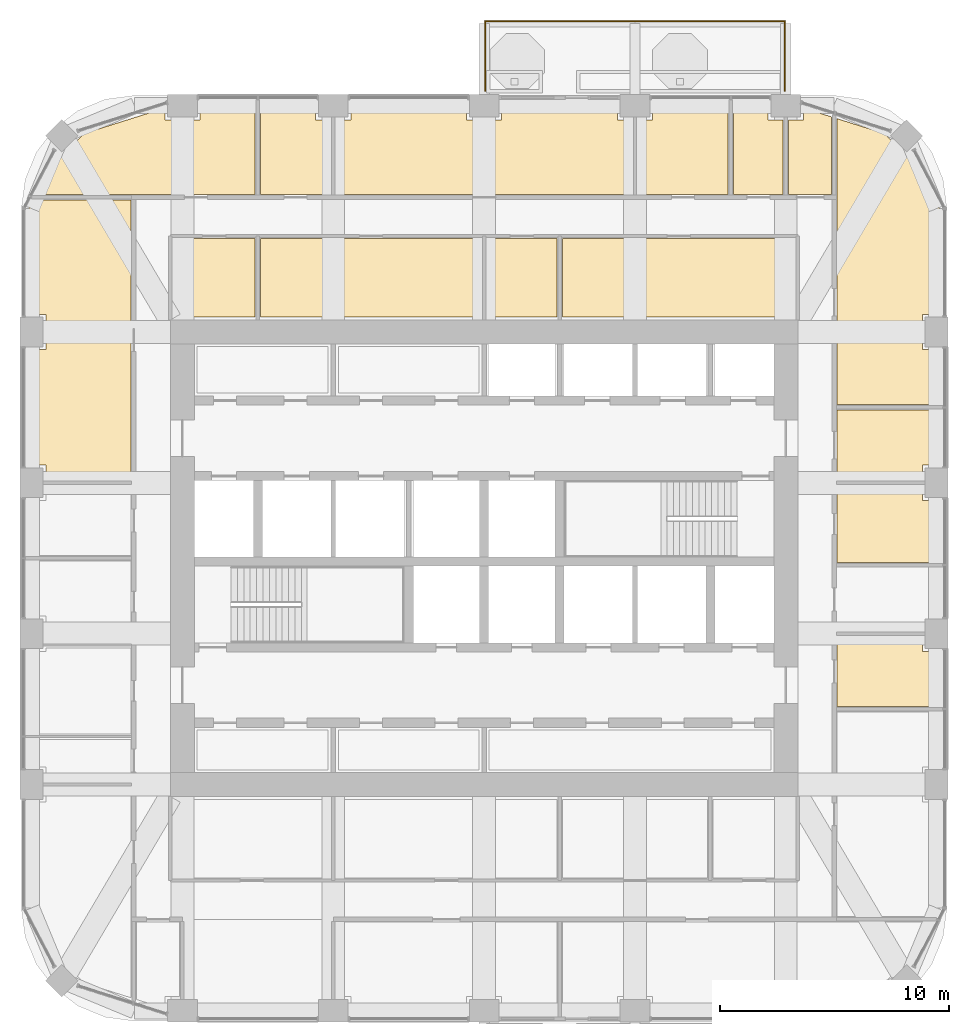
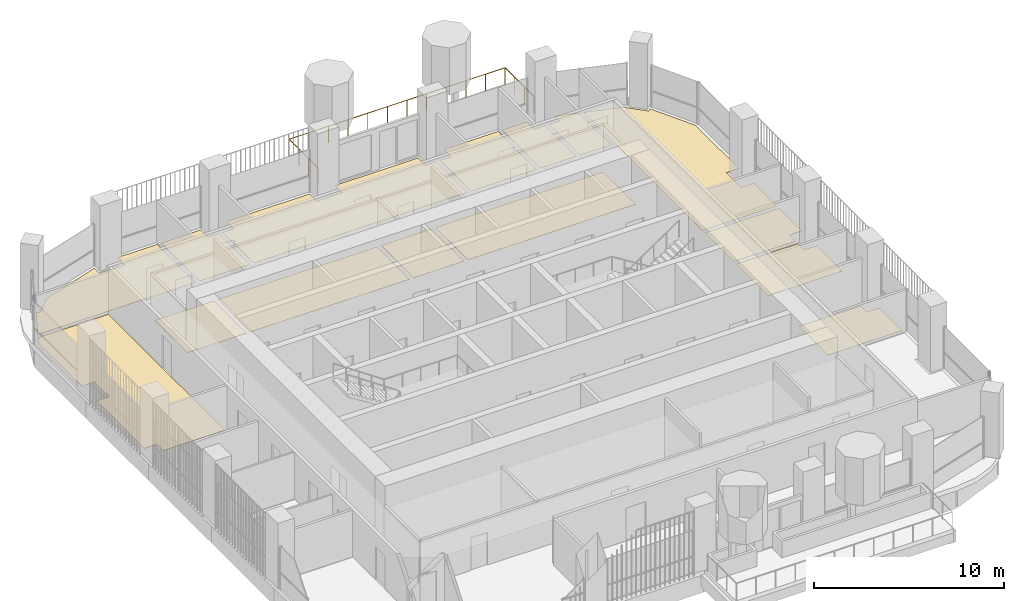
# One storey, part 20 of 21: 15 coverings, 1 railing.
"""IFC4 building model written with IfcOpenShell, lengths in metres."""

from ifc_helpers import new_model, si_unit, direction, frame, origin, place, context, subcontext, project, spatial, polyline, outline, extrude, material, layer, layer_set, type_object, element, save


model = new_model("IFC4")

# Units and contexts
model_context = context("Model", 3, precision=1e-05, world=origin(), true_north=direction((0.0, 1.0)))
body_context = subcontext(model_context, "Body", "Model", "MODEL_VIEW")
ifc_project = project(units=[si_unit("LENGTHUNIT", "METRE"), si_unit("AREAUNIT", "SQUARE_METRE"), si_unit("VOLUMEUNIT", "CUBIC_METRE"), si_unit("PLANEANGLEUNIT", "RADIAN"), si_unit("MASSUNIT", "GRAM", prefix="KILO")], contexts=[model_context])

# Site, building, storey
site_placement = place(None, origin())
site = spatial("IfcSite", under=ifc_project, at=site_placement, CompositionType="ELEMENT")
building_placement = place(site_placement, origin())
building = spatial("IfcBuilding", under=site, at=building_placement, Name="Cobogo Forest Laboratory Tower", CompositionType="ELEMENT")
storey_placement = place(building_placement, frame((0.0, 0.0, 250.199951171875)))
storey = spatial("IfcBuildingStorey", under=building, at=storey_placement, Name="L57", CompositionType="ELEMENT", Elevation=250.199951171875)

# Railing
ifc_material_1 = material(Name="Laminated glass balustrade", Category="glass")
railing_type = type_object("IfcRailingType", Name="BG1 glass balustrade 1100", PredefinedType="GUARDRAIL", material=ifc_material_1)
railing_placement = place(storey_placement, frame((26.449951171875, 43.550048828125, 0.0)))
element("IfcRailing", 1, at=railing_placement, inside=storey, type_object=railing_type, Name="Balcony balustrade BAL-N1 L57", PredefinedType="GUARDRAIL", context=body_context, shape_type="SweptSolid", body=[
    extrude(outline(polyline([(0.022216796875, 0.00927734375), (0.00927734375, 0.022216796875), (-0.00927734375, 0.022216796875), (-0.022216796875, 0.00927734375), (-0.022216796875, -0.00927734375), (-0.00927734375, -0.022216796875), (0.00927734375, -0.022216796875), (0.022216796875, -0.00927734375), (0.022216796875, 0.00927734375)])), frame((0.0, 0.0, 1.077880859375), z_axis=(0.0, 1.0, 0.0), x_axis=(-1.0, 0.0, 0.0)), (0.0, 0.0, 1.0), 3.050048828125),
    extrude(outline(polyline([(0.022216796875, 0.00927734375), (0.00927734375, 0.022216796875), (-0.00927734375, 0.022216796875), (-0.022216796875, 0.00927734375), (-0.022216796875, -0.00927734375), (-0.00927734375, -0.022216796875), (0.00927734375, -0.022216796875), (0.022216796875, -0.00927734375), (0.022216796875, 0.00927734375)])), frame((0.0, 3.050048828125, 1.077880859375), z_axis=(1.0, 0.0, 0.0), x_axis=(0.0, 1.0, 0.0)), (0.0, 0.0, 1.0), 13.10009765625),
    extrude(outline(polyline([(0.022216796875, 0.00927734375), (0.00927734375, 0.022216796875), (-0.00927734375, 0.022216796875), (-0.022216796875, 0.00927734375), (-0.022216796875, -0.00927734375), (-0.00927734375, -0.022216796875), (0.00927734375, -0.022216796875), (0.022216796875, -0.00927734375), (0.022216796875, 0.00927734375)])), frame((13.10009765625, 3.050048828125, 1.077880859375), z_axis=(0.0, -1.0, 0.0), x_axis=(1.0, 0.0, 0.0)), (0.0, 0.0, 1.0), 3.050048828125),
    extrude(outline(polyline([(0.019287109375, 0.008056640625), (0.008056640625, 0.019287109375), (-0.008056640625, 0.019287109375), (-0.019287109375, 0.008056640625), (-0.019287109375, -0.008056640625), (-0.008056640625, -0.019287109375), (0.008056640625, -0.019287109375), (0.019287109375, -0.008056640625), (0.019287109375, 0.008056640625)])), origin(), (0.0, 0.0, 1.0), 1.077880859375),
    extrude(outline(polyline([(0.019287109375, 0.008056640625), (0.008056640625, 0.019287109375), (-0.008056640625, 0.019287109375), (-0.019287109375, 0.008056640625), (-0.019287109375, -0.008056640625), (-0.008056640625, -0.019287109375), (0.008056640625, -0.019287109375), (0.019287109375, -0.008056640625), (0.019287109375, 0.008056640625)])), frame((0.0, 1.0166015625, 0.0)), (0.0, 0.0, 1.0), 1.077880859375),
    extrude(outline(polyline([(0.019287109375, 0.008056640625), (0.008056640625, 0.019287109375), (-0.008056640625, 0.019287109375), (-0.019287109375, 0.008056640625), (-0.019287109375, -0.008056640625), (-0.008056640625, -0.019287109375), (0.008056640625, -0.019287109375), (0.019287109375, -0.008056640625), (0.019287109375, 0.008056640625)])), frame((0.0, 2.033447265625, 0.0)), (0.0, 0.0, 1.0), 1.077880859375),
    extrude(outline(polyline([(0.019287109375, 0.008056640625), (0.008056640625, 0.019287109375), (-0.008056640625, 0.019287109375), (-0.019287109375, 0.008056640625), (-0.019287109375, -0.008056640625), (-0.008056640625, -0.019287109375), (0.008056640625, -0.019287109375), (0.019287109375, -0.008056640625), (0.019287109375, 0.008056640625)])), frame((0.0, 3.050048828125, 0.0)), (0.0, 0.0, 1.0), 1.077880859375),
    extrude(outline(polyline([(0.019287109375, 0.008056640625), (0.008056640625, 0.019287109375), (-0.008056640625, 0.019287109375), (-0.019287109375, 0.008056640625), (-0.019287109375, -0.008056640625), (-0.008056640625, -0.019287109375), (0.008056640625, -0.019287109375), (0.019287109375, -0.008056640625), (0.019287109375, 0.008056640625)])), frame((1.19091796875, 3.050048828125, 0.0)), (0.0, 0.0, 1.0), 1.077880859375),
    extrude(outline(polyline([(0.019287109375, 0.008056640625), (0.008056640625, 0.019287109375), (-0.008056640625, 0.019287109375), (-0.019287109375, 0.008056640625), (-0.019287109375, -0.008056640625), (-0.008056640625, -0.019287109375), (0.008056640625, -0.019287109375), (0.019287109375, -0.008056640625), (0.019287109375, 0.008056640625)])), frame((2.3818359375, 3.050048828125, 0.0)), (0.0, 0.0, 1.0), 1.077880859375),
    extrude(outline(polyline([(0.019287109375, 0.008056640625), (0.008056640625, 0.019287109375), (-0.008056640625, 0.019287109375), (-0.019287109375, 0.008056640625), (-0.019287109375, -0.008056640625), (-0.008056640625, -0.019287109375), (0.008056640625, -0.019287109375), (0.019287109375, -0.008056640625), (0.019287109375, 0.008056640625)])), frame((3.57275390625, 3.050048828125, 0.0)), (0.0, 0.0, 1.0), 1.077880859375),
    extrude(outline(polyline([(0.019287109375, 0.008056640625), (0.008056640625, 0.019287109375), (-0.008056640625, 0.019287109375), (-0.019287109375, 0.008056640625), (-0.019287109375, -0.008056640625), (-0.008056640625, -0.019287109375), (0.008056640625, -0.019287109375), (0.019287109375, -0.008056640625), (0.019287109375, 0.008056640625)])), frame((4.763671875, 3.050048828125, 0.0)), (0.0, 0.0, 1.0), 1.077880859375),
    extrude(outline(polyline([(0.019287109375, 0.008056640625), (0.008056640625, 0.019287109375), (-0.008056640625, 0.019287109375), (-0.019287109375, 0.008056640625), (-0.019287109375, -0.008056640625), (-0.008056640625, -0.019287109375), (0.008056640625, -0.019287109375), (0.019287109375, -0.008056640625), (0.019287109375, 0.008056640625)])), frame((5.95458984375, 3.050048828125, 0.0)), (0.0, 0.0, 1.0), 1.077880859375),
    extrude(outline(polyline([(0.019287109375, 0.008056640625), (0.008056640625, 0.019287109375), (-0.008056640625, 0.019287109375), (-0.019287109375, 0.008056640625), (-0.019287109375, -0.008056640625), (-0.008056640625, -0.019287109375), (0.008056640625, -0.019287109375), (0.019287109375, -0.008056640625), (0.019287109375, 0.008056640625)])), frame((7.1455078125, 3.050048828125, 0.0)), (0.0, 0.0, 1.0), 1.077880859375),
    extrude(outline(polyline([(0.019287109375, 0.008056640625), (0.008056640625, 0.019287109375), (-0.008056640625, 0.019287109375), (-0.019287109375, 0.008056640625), (-0.019287109375, -0.008056640625), (-0.008056640625, -0.019287109375), (0.008056640625, -0.019287109375), (0.019287109375, -0.008056640625), (0.019287109375, 0.008056640625)])), frame((8.33642578125, 3.050048828125, 0.0)), (0.0, 0.0, 1.0), 1.077880859375),
    extrude(outline(polyline([(0.019287109375, 0.008056640625), (0.008056640625, 0.019287109375), (-0.008056640625, 0.019287109375), (-0.019287109375, 0.008056640625), (-0.019287109375, -0.008056640625), (-0.008056640625, -0.019287109375), (0.008056640625, -0.019287109375), (0.019287109375, -0.008056640625), (0.019287109375, 0.008056640625)])), frame((9.52734375, 3.050048828125, 0.0)), (0.0, 0.0, 1.0), 1.077880859375),
    extrude(outline(polyline([(0.019287109375, 0.008056640625), (0.008056640625, 0.019287109375), (-0.008056640625, 0.019287109375), (-0.019287109375, 0.008056640625), (-0.019287109375, -0.008056640625), (-0.008056640625, -0.019287109375), (0.008056640625, -0.019287109375), (0.019287109375, -0.008056640625), (0.019287109375, 0.008056640625)])), frame((10.71826171875, 3.050048828125, 0.0)), (0.0, 0.0, 1.0), 1.077880859375),
    extrude(outline(polyline([(0.019287109375, 0.008056640625), (0.008056640625, 0.019287109375), (-0.008056640625, 0.019287109375), (-0.019287109375, 0.008056640625), (-0.019287109375, -0.008056640625), (-0.008056640625, -0.019287109375), (0.008056640625, -0.019287109375), (0.019287109375, -0.008056640625), (0.019287109375, 0.008056640625)])), frame((11.9091796875, 3.050048828125, 0.0)), (0.0, 0.0, 1.0), 1.077880859375),
    extrude(outline(polyline([(0.019287109375, 0.008056640625), (0.008056640625, 0.019287109375), (-0.008056640625, 0.019287109375), (-0.019287109375, 0.008056640625), (-0.019287109375, -0.008056640625), (-0.008056640625, -0.019287109375), (0.008056640625, -0.019287109375), (0.019287109375, -0.008056640625), (0.019287109375, 0.008056640625)])), frame((13.10009765625, 3.050048828125, 0.0)), (0.0, 0.0, 1.0), 1.077880859375),
    extrude(outline(polyline([(0.019287109375, 0.008056640625), (0.008056640625, 0.019287109375), (-0.008056640625, 0.019287109375), (-0.019287109375, 0.008056640625), (-0.019287109375, -0.008056640625), (-0.008056640625, -0.019287109375), (0.008056640625, -0.019287109375), (0.019287109375, -0.008056640625), (0.019287109375, 0.008056640625)])), frame((13.10009765625, 2.033447265625, 0.0)), (0.0, 0.0, 1.0), 1.077880859375),
    extrude(outline(polyline([(0.019287109375, 0.008056640625), (0.008056640625, 0.019287109375), (-0.008056640625, 0.019287109375), (-0.019287109375, 0.008056640625), (-0.019287109375, -0.008056640625), (-0.008056640625, -0.019287109375), (0.008056640625, -0.019287109375), (0.019287109375, -0.008056640625), (0.019287109375, 0.008056640625)])), frame((13.10009765625, 1.0166015625, 0.0)), (0.0, 0.0, 1.0), 1.077880859375),
    extrude(outline(polyline([(0.019287109375, 0.008056640625), (0.008056640625, 0.019287109375), (-0.008056640625, 0.019287109375), (-0.019287109375, 0.008056640625), (-0.019287109375, -0.008056640625), (-0.008056640625, -0.019287109375), (0.008056640625, -0.019287109375), (0.019287109375, -0.008056640625), (0.019287109375, 0.008056640625)])), frame((13.10009765625, 0.0, 0.0)), (0.0, 0.0, 1.0), 1.077880859375),
])

# Coverings
ifc_material_2 = material(Name="Carpet tile on raised access floor", Category="flooring")
ifc_layer_1 = layer(ifc_material_2, 0.008056640625)
ifc_layer_set_1 = layer_set([ifc_layer_1], Name="CT1 carpet tile floor 8")
covering_type_1 = type_object("IfcCoveringType", Name="CT1 carpet tile floor 8", PredefinedType="FLOORING", material=ifc_layer_set_1)
covering_1_placement = place(storey_placement, origin())
element("IfcCovering", 2, at=covering_1_placement, inside=storey, type_object=covering_type_1, Name="Carpet floor L57-01", PredefinedType="FLOORING", context=body_context, shape_type="SweptSolid", body=[
    extrude(outline(polyline([(16.3798828125, 33.64501953125), (12.794921875, 33.64501953125), (12.794921875, 37.080078125), (16.3798828125, 37.080078125), (16.3798828125, 33.64501953125)])), origin(), (0.0, 0.0, 1.0), 0.008056640625),
])
covering_2_placement = place(storey_placement, origin())
element("IfcCovering", 3, at=covering_2_placement, inside=storey, type_object=covering_type_1, Name="Carpet floor L57-02", PredefinedType="FLOORING", context=body_context, shape_type="SweptSolid", body=[
    extrude(outline(polyline([(26.280029296875, 33.64501953125), (16.6201171875, 33.64501953125), (16.6201171875, 37.080078125), (26.280029296875, 37.080078125), (26.280029296875, 33.64501953125)])), origin(), (0.0, 0.0, 1.0), 0.008056640625),
])
covering_3_placement = place(storey_placement, origin())
element("IfcCovering", 4, at=covering_3_placement, inside=storey, type_object=covering_type_1, Name="Carpet floor L57-03", PredefinedType="FLOORING", context=body_context, shape_type="SweptSolid", body=[
    extrude(outline(polyline([(29.580078125, 33.64501953125), (26.52001953125, 33.64501953125), (26.52001953125, 37.080078125), (29.580078125, 37.080078125), (29.580078125, 33.64501953125)])), origin(), (0.0, 0.0, 1.0), 0.008056640625),
])
covering_4_placement = place(storey_placement, origin())
element("IfcCovering", 5, at=covering_4_placement, inside=storey, type_object=covering_type_1, Name="Carpet floor L57-04", PredefinedType="FLOORING", context=body_context, shape_type="SweptSolid", body=[
    extrude(outline(polyline([(40.0048828125, 33.64501953125), (29.820068359375, 33.64501953125), (29.820068359375, 37.080078125), (40.0048828125, 37.080078125), (40.0048828125, 33.64501953125)])), origin(), (0.0, 0.0, 1.0), 0.008056640625),
])
covering_5_placement = place(storey_placement, origin())
element("IfcCovering", 6, at=covering_5_placement, inside=storey, type_object=covering_type_1, Name="Carpet floor L57-13", PredefinedType="FLOORING", context=body_context, shape_type="SweptSolid", body=[
    extrude(outline(polyline([(41.844970703125, 19.679931640625), (45.580078125, 19.679931640625), (45.580078125, 19.030029296875), (46.35009765625, 19.030029296875), (46.35009765625, 16.6201171875), (41.844970703125, 16.6201171875), (41.844970703125, 19.679931640625)])), origin(), (0.0, 0.0, 1.0), 0.008056640625),
])
covering_6_placement = place(storey_placement, origin())
element("IfcCovering", 7, at=covering_6_placement, inside=storey, type_object=covering_type_1, Name="Carpet floor L57-18", PredefinedType="FLOORING", context=body_context, shape_type="SweptSolid", body=[
    extrude(outline(polyline([(6.80078125, 39.02001953125), (7.7646484375, 40.858642578125), (7.91796875, 40.705078125), (8.794921875, 41.58203125), (8.743896484375, 41.633056640625), (12.429931640625, 42.797119140625), (12.429931640625, 42.280029296875), (13.969970703125, 42.280029296875), (13.969970703125, 43.050048828125), (16.3798828125, 43.050048828125), (16.3798828125, 39.02001953125), (6.80078125, 39.02001953125)])), origin(), (0.0, 0.0, 1.0), 0.008056640625),
])
covering_7_placement = place(storey_placement, origin())
element("IfcCovering", 8, at=covering_7_placement, inside=storey, type_object=covering_type_1, Name="Carpet floor L57-19", PredefinedType="FLOORING", context=body_context, shape_type="SweptSolid", body=[
    extrude(outline(polyline([(16.6201171875, 39.02001953125), (16.6201171875, 43.050048828125), (19.030029296875, 43.050048828125), (19.030029296875, 42.280029296875), (19.679931640625, 42.280029296875), (19.679931640625, 39.02001953125), (16.6201171875, 39.02001953125)])), origin(), (0.0, 0.0, 1.0), 0.008056640625),
])
covering_8_placement = place(storey_placement, origin())
element("IfcCovering", 9, at=covering_8_placement, inside=storey, type_object=covering_type_1, Name="Carpet floor L57-20", PredefinedType="FLOORING", context=body_context, shape_type="SweptSolid", body=[
    extrude(outline(polyline([(19.919921875, 39.02001953125), (19.919921875, 42.280029296875), (20.570068359375, 42.280029296875), (20.570068359375, 43.050048828125), (25.6298828125, 43.050048828125), (25.6298828125, 42.280029296875), (27.169921875, 42.280029296875), (27.169921875, 43.050048828125), (32.22998046875, 43.050048828125), (32.22998046875, 42.280029296875), (32.8798828125, 42.280029296875), (32.8798828125, 39.02001953125), (19.919921875, 39.02001953125)])), origin(), (0.0, 0.0, 1.0), 0.008056640625),
])
covering_9_placement = place(storey_placement, origin())
element("IfcCovering", 10, at=covering_9_placement, inside=storey, type_object=covering_type_1, Name="Carpet floor L57-21", PredefinedType="FLOORING", context=body_context, shape_type="SweptSolid", body=[
    extrude(outline(polyline([(33.1201171875, 39.02001953125), (33.1201171875, 42.280029296875), (33.77001953125, 42.280029296875), (33.77001953125, 43.050048828125), (37.080078125, 43.050048828125), (37.080078125, 39.02001953125), (33.1201171875, 39.02001953125)])), origin(), (0.0, 0.0, 1.0), 0.008056640625),
])
covering_10_placement = place(storey_placement, origin())
element("IfcCovering", 11, at=covering_10_placement, inside=storey, type_object=covering_type_1, Name="Carpet floor L57-29", PredefinedType="FLOORING", context=body_context, shape_type="SweptSolid", body=[
    extrude(outline(polyline([(10.955078125, 26.52001953125), (7.219970703125, 26.52001953125), (7.219970703125, 27.169921875), (6.449951171875, 27.169921875), (6.449951171875, 32.22998046875), (7.219970703125, 32.22998046875), (7.219970703125, 33.77001953125), (6.449951171875, 33.77001953125), (6.449951171875, 38.350830078125), (6.675048828125, 38.780029296875), (10.955078125, 38.780029296875), (10.955078125, 26.52001953125)])), origin(), (0.0, 0.0, 1.0), 0.008056640625),
])
ifc_material_3 = material(Name="Epoxy resin flooring", Category="flooring")
ifc_layer_2 = layer(ifc_material_3, 0.00390625)
ifc_layer_set_2 = layer_set([ifc_layer_2], Name="LF1 epoxy laboratory floor 4")
covering_type_2 = type_object("IfcCoveringType", Name="LF1 epoxy laboratory floor 4", PredefinedType="FLOORING", material=ifc_layer_set_2)
covering_11_placement = place(storey_placement, origin())
element("IfcCovering", 12, at=covering_11_placement, inside=storey, type_object=covering_type_2, Name="Epoxy laboratory floor L57-16", PredefinedType="FLOORING", context=body_context, shape_type="SweptSolid", body=[
    extrude(outline(polyline([(41.844970703125, 29.580078125), (46.35009765625, 29.580078125), (46.35009765625, 27.169921875), (45.580078125, 27.169921875), (45.580078125, 26.52001953125), (41.844970703125, 26.52001953125), (41.844970703125, 29.580078125)])), origin(), (0.0, 0.0, 1.0), 0.004150390625),
])
covering_12_placement = place(storey_placement, origin())
element("IfcCovering", 13, at=covering_12_placement, inside=storey, type_object=covering_type_2, Name="Epoxy laboratory floor L57-17", PredefinedType="FLOORING", context=body_context, shape_type="SweptSolid", body=[
    extrude(outline(polyline([(41.844970703125, 42.331298828125), (44.05615234375, 41.633056640625), (44.005126953125, 41.58203125), (44.882080078125, 40.705078125), (45.035400390625, 40.858642578125), (46.35009765625, 38.350830078125), (46.35009765625, 33.77001953125), (45.580078125, 33.77001953125), (45.580078125, 32.22998046875), (46.35009765625, 32.22998046875), (46.35009765625, 29.820068359375), (41.844970703125, 29.820068359375), (41.844970703125, 42.331298828125)])), origin(), (0.0, 0.0, 1.0), 0.004150390625),
])
covering_13_placement = place(storey_placement, origin())
element("IfcCovering", 14, at=covering_13_placement, inside=storey, type_object=covering_type_2, Name="Epoxy laboratory floor L57-23", PredefinedType="FLOORING", context=body_context, shape_type="SweptSolid", body=[
    extrude(outline(polyline([(39.719970703125, 39.02001953125), (39.719970703125, 42.280029296875), (40.3701171875, 42.280029296875), (40.3701171875, 42.797119140625), (41.60498046875, 42.406982421875), (41.60498046875, 39.02001953125), (39.719970703125, 39.02001953125)])), origin(), (0.0, 0.0, 1.0), 0.004150390625),
])
ifc_material_4 = material(Name="Static-dissipative vinyl flooring", Category="flooring")
ifc_layer_3 = layer(ifc_material_4, 0.0029296875)
ifc_layer_set_3 = layer_set([ifc_layer_3], Name="SD1 static-dissipative vinyl floor 3")
covering_type_3 = type_object("IfcCoveringType", Name="SD1 static-dissipative vinyl floor 3", PredefinedType="FLOORING", material=ifc_layer_set_3)
covering_14_placement = place(storey_placement, origin())
element("IfcCovering", 15, at=covering_14_placement, inside=storey, type_object=covering_type_3, Name="Static-dissipative floor L57-15", PredefinedType="FLOORING", context=body_context, shape_type="SweptSolid", body=[
    extrude(outline(polyline([(41.844970703125, 26.280029296875), (45.580078125, 26.280029296875), (45.580078125, 25.6298828125), (46.35009765625, 25.6298828125), (46.35009765625, 22.919921875), (41.844970703125, 22.919921875), (41.844970703125, 26.280029296875)])), origin(), (0.0, 0.0, 1.0), 0.0029296875),
])
ifc_material_5 = material(Name="Ceramic floor tile", Category="flooring")
ifc_layer_4 = layer(ifc_material_5, 0.010009765625)
ifc_layer_set_4 = layer_set([ifc_layer_4], Name="TF1 ceramic tile floor 10")
covering_type_4 = type_object("IfcCoveringType", Name="TF1 ceramic tile floor 10", PredefinedType="FLOORING", material=ifc_layer_set_4)
covering_15_placement = place(storey_placement, origin())
element("IfcCovering", 16, at=covering_15_placement, inside=storey, type_object=covering_type_4, Name="Tile floor L57-22", PredefinedType="FLOORING", context=body_context, shape_type="SweptSolid", body=[
    extrude(outline(polyline([(37.320068359375, 39.02001953125), (37.320068359375, 43.050048828125), (38.830078125, 43.050048828125), (38.830078125, 42.280029296875), (39.47998046875, 42.280029296875), (39.47998046875, 39.02001953125), (37.320068359375, 39.02001953125)])), origin(), (0.0, 0.0, 1.0), 0.010009765625),
])

save(model, "model.ifc")
